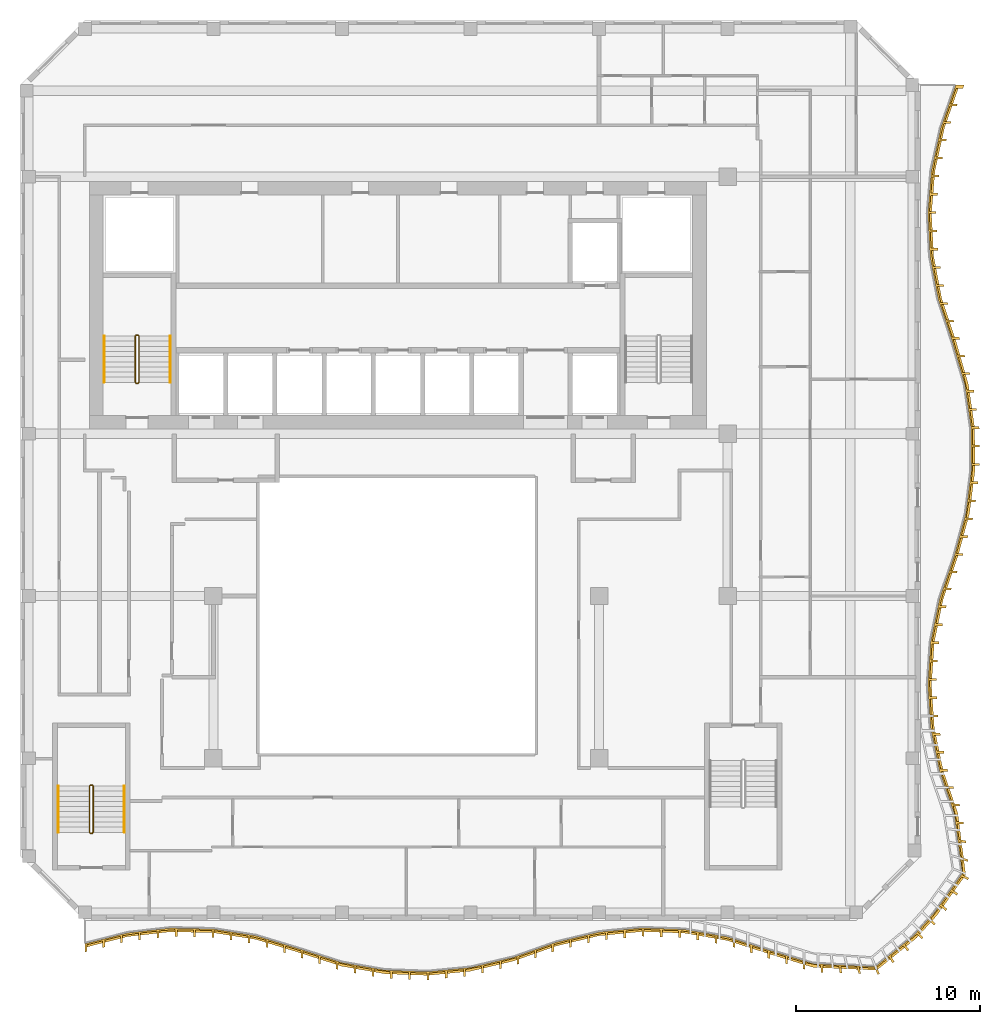
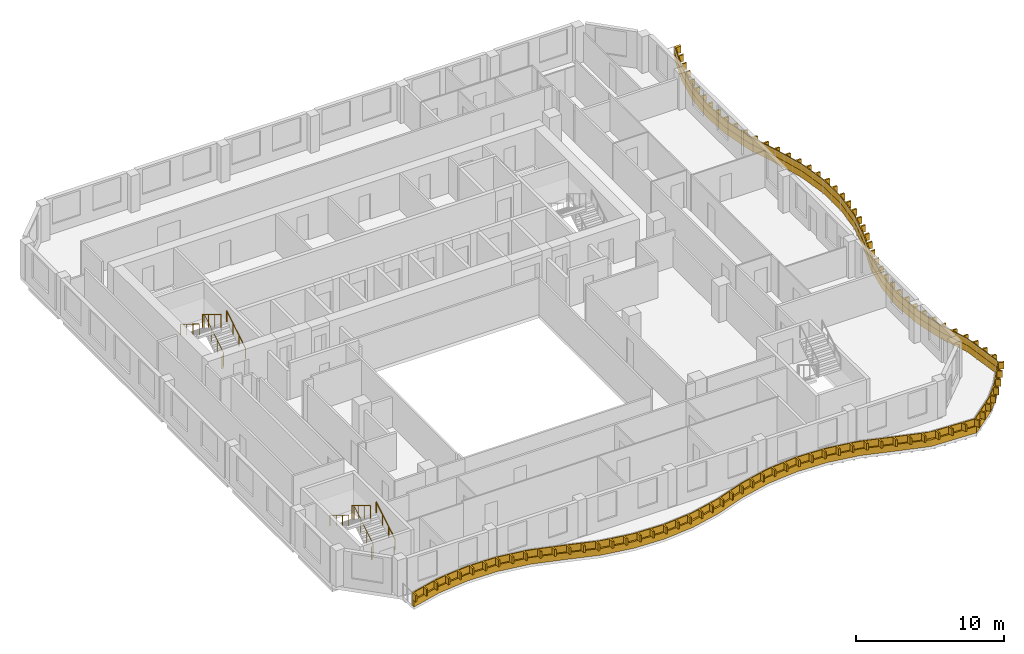
# One storey, part 11 of 13: 6 railings, 2 shading devices.
"""IFC4 building model written with IfcOpenShell, lengths in metres."""

from ifc_helpers import new_model, si_unit, direction, frame, origin, origin_2d, place, context, subcontext, project, spatial, polyline, circle, outline, extrude, source, transform, mapped, material, layer, layer_set, type_object, element, save


model = new_model("IFC4")

# Units and contexts
model_context = context("Model", 3, precision=1e-05, world=origin(), true_north=direction((0.0, 1.0)))
body_context = subcontext(model_context, "Body", "Model", "MODEL_VIEW")
ifc_project = project(units=[si_unit("LENGTHUNIT", "METRE"), si_unit("AREAUNIT", "SQUARE_METRE"), si_unit("VOLUMEUNIT", "CUBIC_METRE"), si_unit("PLANEANGLEUNIT", "RADIAN"), si_unit("MASSUNIT", "GRAM", prefix="KILO")], contexts=[model_context])

# Site, building, storey
site_placement = place(None, origin())
site = spatial("IfcSite", under=ifc_project, at=site_placement, CompositionType="ELEMENT")
building_placement = place(site_placement, origin())
building = spatial("IfcBuilding", under=site, at=building_placement, Name="Kilnfold Tower and Market Hall", CompositionType="ELEMENT")
storey_placement = place(building_placement, frame((0.0, 0.0, 259.39990234375)))
storey = spatial("IfcBuildingStorey", under=building, at=storey_placement, Name="L63", CompositionType="ELEMENT", Elevation=259.39990234375)

# Railings
ifc_material_1 = material(Name="Stainless steel 316", Category="steel")
railing_type_1 = type_object("IfcRailingType", Name="CORE STAIR GUARD 1100", PredefinedType="GUARDRAIL", material=ifc_material_1)
railing_1_placement = place(storey_placement, frame((-13.199951171875, 10.75, 0.0)))
element("IfcRailing", 1, at=railing_1_placement, inside=storey, type_object=railing_type_1, Name="L63 ST1 stair guard 1", PredefinedType="GUARDRAIL", context=body_context, shape_type="SweptSolid", body=[
    extrude(circle(Radius=0.02392578125, at=origin_2d()), frame((0.0, 0.0, 1.076171875), z_axis=(1.0, 0.0, 0.0), x_axis=(0.0, 1.0, 0.0)), (0.0, 0.0, 1.0), 0.099853515625),
    extrude(circle(Radius=0.02392578125, at=origin_2d()), frame((0.099853515625, 0.0, 1.076171875), z_axis=(0.271562723297, 0.271562723297, 0.923313259209), x_axis=(-0.707106781187, 0.707106781187, 0.0)), (0.0, 0.0, 1.0), 0.184326171875),
    extrude(circle(Radius=0.02392578125, at=origin_2d()), frame((0.14990234375, 0.050048828125, 1.24609375), z_axis=(0.0, 0.85478489116, 0.518982456201), x_axis=(-1.0, 0.0, 0.0)), (0.0, 0.0, 1.0), 2.9482421875),
    extrude(circle(Radius=0.02392578125, at=origin_2d()), frame((0.14990234375, 2.570068359375, 2.7763671875), z_axis=(-0.707106781187, 0.707106781187, 0.0), x_axis=(-0.707106781187, -0.707106781187, 0.0)), (0.0, 0.0, 1.0), 0.07080078125),
    extrude(circle(Radius=0.02392578125, at=origin_2d()), frame((0.099853515625, 2.6201171875, 2.7763671875), z_axis=(-1.0, 0.0, 0.0), x_axis=(0.0, -1.0, 0.0)), (0.0, 0.0, 1.0), 0.099853515625),
    extrude(circle(Radius=0.02392578125, at=origin_2d()), frame((0.0, 2.6201171875, 2.7763671875), z_axis=(-0.271895245746, -0.271895245746, 0.923117517265), x_axis=(0.707106781187, -0.707106781187, 0.0)), (0.0, 0.0, 1.0), 0.18408203125),
    extrude(circle(Radius=0.02392578125, at=origin_2d()), frame((-0.050048828125, 2.570068359375, 2.9462890625), z_axis=(0.0, -0.85478489116, 0.518982456201), x_axis=(1.0, 0.0, 0.0)), (0.0, 0.0, 1.0), 2.9482421875),
    extrude(circle(Radius=0.02099609375, at=origin_2d()), origin(), (0.0, 0.0, 1.0), 1.052001953125),
    extrude(circle(Radius=0.02099609375, at=origin_2d()), frame((0.099853515625, 0.0, 0.0)), (0.0, 0.0, 1.0), 1.052001953125),
    extrude(circle(Radius=0.02099609375, at=origin_2d()), frame((0.14990234375, 0.050048828125, 0.170166015625)), (0.0, 0.0, 1.0), 1.052001953125),
    extrude(circle(Radius=0.02099609375, at=origin_2d()), frame((0.14990234375, 0.89013671875, 0.68017578125)), (0.0, 0.0, 1.0), 1.052001953125),
    extrude(circle(Radius=0.02099609375, at=origin_2d()), frame((0.14990234375, 1.72998046875, 1.190185546875)), (0.0, 0.0, 1.0), 1.052001953125),
    extrude(circle(Radius=0.02099609375, at=origin_2d()), frame((0.14990234375, 2.570068359375, 1.7001953125)), (0.0, 0.0, 1.0), 1.052001953125),
    extrude(circle(Radius=0.02099609375, at=origin_2d()), frame((0.099853515625, 2.6201171875, 1.7001953125)), (0.0, 0.0, 1.0), 1.052001953125),
    extrude(circle(Radius=0.02099609375, at=origin_2d()), frame((0.0, 2.6201171875, 1.7001953125)), (0.0, 0.0, 1.0), 1.052001953125),
    extrude(circle(Radius=0.02099609375, at=origin_2d()), frame((-0.050048828125, 2.570068359375, 1.8701171875)), (0.0, 0.0, 1.0), 1.052001953125),
    extrude(circle(Radius=0.02099609375, at=origin_2d()), frame((-0.050048828125, 1.72998046875, 2.380126953125)), (0.0, 0.0, 1.0), 1.052001953125),
    extrude(circle(Radius=0.02099609375, at=origin_2d()), frame((-0.050048828125, 0.89013671875, 2.89013671875)), (0.0, 0.0, 1.0), 1.052001953125),
    extrude(circle(Radius=0.02099609375, at=origin_2d()), frame((-0.050048828125, 0.050048828125, 3.400146484375)), (0.0, 0.0, 1.0), 1.052001953125),
])
railing_2_placement = place(storey_placement, frame((-15.699951171875, -13.75, 0.0)))
element("IfcRailing", 2, at=railing_2_placement, inside=storey, type_object=railing_type_1, Name="L63 ST3 stair guard 1", PredefinedType="GUARDRAIL", context=body_context, shape_type="SweptSolid", body=[
    extrude(circle(Radius=0.02392578125, at=origin_2d()), frame((0.0, 0.0, 1.076171875), z_axis=(1.0, 0.0, 0.0), x_axis=(0.0, 1.0, 0.0)), (0.0, 0.0, 1.0), 0.099853515625),
    extrude(circle(Radius=0.02392578125, at=origin_2d()), frame((0.099853515625, 0.0, 1.076171875), z_axis=(0.271562723297, 0.271562723297, 0.923313259209), x_axis=(-0.707106781187, 0.707106781187, 0.0)), (0.0, 0.0, 1.0), 0.184326171875),
    extrude(circle(Radius=0.02392578125, at=origin_2d()), frame((0.14990234375, 0.050048828125, 1.24609375), z_axis=(0.0, 0.85478489116, 0.518982456201), x_axis=(-1.0, 0.0, 0.0)), (0.0, 0.0, 1.0), 2.9482421875),
    extrude(circle(Radius=0.02392578125, at=origin_2d()), frame((0.14990234375, 2.570068359375, 2.7763671875), z_axis=(-0.707106781187, 0.707106781187, 0.0), x_axis=(-0.707106781187, -0.707106781187, 0.0)), (0.0, 0.0, 1.0), 0.07080078125),
    extrude(circle(Radius=0.02392578125, at=origin_2d()), frame((0.099853515625, 2.6201171875, 2.7763671875), z_axis=(-1.0, 0.0, 0.0), x_axis=(0.0, -1.0, 0.0)), (0.0, 0.0, 1.0), 0.099853515625),
    extrude(circle(Radius=0.02392578125, at=origin_2d()), frame((0.0, 2.6201171875, 2.7763671875), z_axis=(-0.271895245746, -0.271895245746, 0.923117517265), x_axis=(0.707106781187, -0.707106781187, 0.0)), (0.0, 0.0, 1.0), 0.18408203125),
    extrude(circle(Radius=0.02392578125, at=origin_2d()), frame((-0.050048828125, 2.570068359375, 2.9462890625), z_axis=(0.0, -0.85478489116, 0.518982456201), x_axis=(1.0, 0.0, 0.0)), (0.0, 0.0, 1.0), 2.9482421875),
    extrude(circle(Radius=0.02099609375, at=origin_2d()), origin(), (0.0, 0.0, 1.0), 1.052001953125),
    extrude(circle(Radius=0.02099609375, at=origin_2d()), frame((0.099853515625, 0.0, 0.0)), (0.0, 0.0, 1.0), 1.052001953125),
    extrude(circle(Radius=0.02099609375, at=origin_2d()), frame((0.14990234375, 0.050048828125, 0.170166015625)), (0.0, 0.0, 1.0), 1.052001953125),
    extrude(circle(Radius=0.02099609375, at=origin_2d()), frame((0.14990234375, 0.89013671875, 0.68017578125)), (0.0, 0.0, 1.0), 1.052001953125),
    extrude(circle(Radius=0.02099609375, at=origin_2d()), frame((0.14990234375, 1.72998046875, 1.190185546875)), (0.0, 0.0, 1.0), 1.052001953125),
    extrude(circle(Radius=0.02099609375, at=origin_2d()), frame((0.14990234375, 2.570068359375, 1.7001953125)), (0.0, 0.0, 1.0), 1.052001953125),
    extrude(circle(Radius=0.02099609375, at=origin_2d()), frame((0.099853515625, 2.6201171875, 1.7001953125)), (0.0, 0.0, 1.0), 1.052001953125),
    extrude(circle(Radius=0.02099609375, at=origin_2d()), frame((0.0, 2.6201171875, 1.7001953125)), (0.0, 0.0, 1.0), 1.052001953125),
    extrude(circle(Radius=0.02099609375, at=origin_2d()), frame((-0.050048828125, 2.570068359375, 1.8701171875)), (0.0, 0.0, 1.0), 1.052001953125),
    extrude(circle(Radius=0.02099609375, at=origin_2d()), frame((-0.050048828125, 1.72998046875, 2.380126953125)), (0.0, 0.0, 1.0), 1.052001953125),
    extrude(circle(Radius=0.02099609375, at=origin_2d()), frame((-0.050048828125, 0.89013671875, 2.89013671875)), (0.0, 0.0, 1.0), 1.052001953125),
    extrude(circle(Radius=0.02099609375, at=origin_2d()), frame((-0.050048828125, 0.050048828125, 3.400146484375)), (0.0, 0.0, 1.0), 1.052001953125),
])
ifc_material_2 = material(Name="Stainless steel 316", Category="steel")
railing_type_2 = type_object("IfcRailingType", Name="CORE STAIR HANDRAIL 900", PredefinedType="HANDRAIL", material=ifc_material_2)
railing_3_placement = place(storey_placement, frame((-11.35009765625, 10.800048828125, 0.170166015625)))
element("IfcRailing", 3, at=railing_3_placement, inside=storey, type_object=railing_type_2, Name="L63 ST1 stair handrail 1", PredefinedType="HANDRAIL", context=body_context, shape_type="SweptSolid", body=[
    extrude(circle(Radius=0.02392578125, at=origin_2d()), frame((0.0, 0.0, 0.8759765625), z_axis=(0.0, 0.85478489116, 0.518982456201), x_axis=(-1.0, 0.0, 0.0)), (0.0, 0.0, 1.0), 2.9482421875),
    extrude(circle(Radius=0.02099609375, at=origin_2d()), origin(), (0.0, 0.0, 1.0), 0.851806640625),
    extrude(circle(Radius=0.02099609375, at=origin_2d()), frame((0.0, 0.840087890625, 0.510009765625)), (0.0, 0.0, 1.0), 0.851806640625),
    extrude(circle(Radius=0.02099609375, at=origin_2d()), frame((0.0, 1.679931640625, 1.02001953125)), (0.0, 0.0, 1.0), 0.851806640625),
    extrude(circle(Radius=0.02099609375, at=origin_2d()), frame((0.0, 2.52001953125, 1.530029296875)), (0.0, 0.0, 1.0), 0.851806640625),
])
railing_4_placement = place(storey_placement, frame((-14.949951171875, 13.320068359375, 1.8701171875)))
element("IfcRailing", 4, at=railing_4_placement, inside=storey, type_object=railing_type_2, Name="L63 ST1 stair handrail 2", PredefinedType="HANDRAIL", context=body_context, shape_type="SweptSolid", body=[
    extrude(circle(Radius=0.02392578125, at=origin_2d()), frame((0.0, 0.0, 0.8759765625), z_axis=(0.0, -0.85478489116, 0.518982456201), x_axis=(1.0, 0.0, 0.0)), (0.0, 0.0, 1.0), 2.9482421875),
    extrude(circle(Radius=0.02099609375, at=origin_2d()), origin(), (0.0, 0.0, 1.0), 0.851806640625),
    extrude(circle(Radius=0.02099609375, at=origin_2d()), frame((0.0, -0.840087890625, 0.510009765625)), (0.0, 0.0, 1.0), 0.851806640625),
    extrude(circle(Radius=0.02099609375, at=origin_2d()), frame((0.0, -1.679931640625, 1.02001953125)), (0.0, 0.0, 1.0), 0.851806640625),
    extrude(circle(Radius=0.02099609375, at=origin_2d()), frame((0.0, -2.52001953125, 1.530029296875)), (0.0, 0.0, 1.0), 0.851806640625),
])
railing_5_placement = place(storey_placement, frame((-13.85009765625, -13.699951171875, 0.170166015625)))
element("IfcRailing", 5, at=railing_5_placement, inside=storey, type_object=railing_type_2, Name="L63 ST3 stair handrail 1", PredefinedType="HANDRAIL", context=body_context, shape_type="SweptSolid", body=[
    extrude(circle(Radius=0.02392578125, at=origin_2d()), frame((0.0, 0.0, 0.8759765625), z_axis=(0.0, 0.85478489116, 0.518982456201), x_axis=(-1.0, 0.0, 0.0)), (0.0, 0.0, 1.0), 2.9482421875),
    extrude(circle(Radius=0.02099609375, at=origin_2d()), origin(), (0.0, 0.0, 1.0), 0.851806640625),
    extrude(circle(Radius=0.02099609375, at=origin_2d()), frame((0.0, 0.840087890625, 0.510009765625)), (0.0, 0.0, 1.0), 0.851806640625),
    extrude(circle(Radius=0.02099609375, at=origin_2d()), frame((0.0, 1.679931640625, 1.02001953125)), (0.0, 0.0, 1.0), 0.851806640625),
    extrude(circle(Radius=0.02099609375, at=origin_2d()), frame((0.0, 2.52001953125, 1.530029296875)), (0.0, 0.0, 1.0), 0.851806640625),
])
railing_6_placement = place(storey_placement, frame((-17.449951171875, -11.179931640625, 1.8701171875)))
element("IfcRailing", 6, at=railing_6_placement, inside=storey, type_object=railing_type_2, Name="L63 ST3 stair handrail 2", PredefinedType="HANDRAIL", context=body_context, shape_type="SweptSolid", body=[
    extrude(circle(Radius=0.02392578125, at=origin_2d()), frame((0.0, 0.0, 0.8759765625), z_axis=(0.0, -0.85478489116, 0.518982456201), x_axis=(1.0, 0.0, 0.0)), (0.0, 0.0, 1.0), 2.9482421875),
    extrude(circle(Radius=0.02099609375, at=origin_2d()), origin(), (0.0, 0.0, 1.0), 0.851806640625),
    extrude(circle(Radius=0.02099609375, at=origin_2d()), frame((0.0, -0.840087890625, 0.510009765625)), (0.0, 0.0, 1.0), 0.851806640625),
    extrude(circle(Radius=0.02099609375, at=origin_2d()), frame((0.0, -1.679931640625, 1.02001953125)), (0.0, 0.0, 1.0), 0.851806640625),
    extrude(circle(Radius=0.02099609375, at=origin_2d()), frame((0.0, -2.52001953125, 1.530029296875)), (0.0, 0.0, 1.0), 0.851806640625),
])

# Shading devices
ifc_material_3 = material(Name="Precast concrete C50/60", Category="concrete")
ifc_layer_1 = layer(ifc_material_3, 0.550048828125)
ifc_layer_set_1 = layer_set([ifc_layer_1], Name="Precast concrete C50/60")
shading_device_type_1 = type_object("IfcShadingDeviceType", Name="BALCONY UPSTAND 550", PredefinedType="USERDEFINED", material=ifc_layer_set_1)
shared_shape_1 = source(origin(), body_context, "Body", "SweptSolid", [
    extrude(outline(polyline([(-16.0, -19.97314453125), (-13.666748046875, -19.38037109375), (-11.333251953125, -19.117431640625), (-9.0, -19.16943359375), (-6.666748046875, -19.539306640625), (-4.333251953125, -20.24853515625), (-2.0, -20.997802734375), (0.333251953125, -21.40478515625), (2.666748046875, -21.492431640625), (5.0, -21.265869140625), (7.333251953125, -20.7119140625), (9.666748046875, -19.89208984375), (12.0, -19.33642578125), (14.333251953125, -19.10791015625), (16.666748046875, -19.19384765625), (19.0, -19.59912109375), (21.333251953125, -20.346435546875), (23.666748046875, -21.0576171875), (27.12109375, -21.206298828125), (29.287841796875, -19.45458984375), (30.3935546875, -18.226806640625), (31.96533203125, -16.021240234375), (31.535400390625, -12.666748046875), (30.734375, -10.333251953125), (30.255859375, -8.0), (30.10009765625, -5.666748046875), (30.25830078125, -3.333251953125), (30.7392578125, -1.0), (31.54150390625, 1.333251953125), (32.171875, 3.666748046875), (32.469482421875, 6.0), (32.451416015625, 8.333251953125), (32.116455078125, 10.666748046875), (31.44580078125, 13.0), (30.666259765625, 15.333251953125), (30.2236328125, 17.666748046875), (30.10205078125, 20.0), (30.294189453125, 22.333251953125), (30.8115234375, 24.666748046875), (31.626953125, 27.0), (31.427001953125, 27.0), (30.611572265625, 24.666748046875), (30.09423828125, 22.333251953125), (29.902099609375, 20.0), (30.023681640625, 17.666748046875), (30.46630859375, 15.333251953125), (31.24560546875, 13.0), (31.91650390625, 10.666748046875), (32.251220703125, 8.333251953125), (32.269287109375, 6.0), (31.971923828125, 3.666748046875), (31.341552734375, 1.333251953125), (30.539306640625, -1.0), (30.05810546875, -3.333251953125), (29.89990234375, -5.666748046875), (30.055908203125, -8.0), (30.5341796875, -10.333251953125), (31.33544921875, -12.666748046875), (31.780517578125, -15.944580078125), (30.252197265625, -18.08544921875), (29.146484375, -19.31298828125), (27.04443359375, -21.021484375), (23.666748046875, -20.857666015625), (21.333251953125, -20.146484375), (19.0, -19.399169921875), (16.666748046875, -18.993896484375), (14.333251953125, -18.907958984375), (12.0, -19.136474609375), (9.666748046875, -19.692138671875), (7.333251953125, -20.511962890625), (5.0, -21.06591796875), (2.666748046875, -21.29248046875), (0.333251953125, -21.20458984375), (-2.0, -20.797607421875), (-4.333251953125, -20.048583984375), (-6.666748046875, -19.33935546875), (-9.0, -18.969482421875), (-11.333251953125, -18.91748046875), (-13.666748046875, -19.180419921875), (-16.0, -19.773193359375), (-16.0, -19.97314453125)])), origin(), (0.0, 0.0, 1.0), 0.550048828125),
])
shading_device_1_placement = place(storey_placement, origin())
element("IfcShadingDevice", 7, at=shading_device_1_placement, inside=storey, type_object=shading_device_type_1, Name="Balcony fascia L63", ObjectType="FASCIA", PredefinedType="USERDEFINED", context=body_context, shape_type="MappedRepresentation", body=[
    mapped(shared_shape_1, transform((0.0, 0.0, 0.0))),
])
ifc_material_4 = material(Name="Bronze anodised aluminium", Category="aluminium")
ifc_layer_2 = layer(ifc_material_4, 0.550048828125)
ifc_layer_set_2 = layer_set([ifc_layer_2], Name="Bronze anodised aluminium")
shading_device_type_2 = type_object("IfcShadingDeviceType", Name="BRONZE SLAT FASCIA 550", PredefinedType="USERDEFINED", material=ifc_layer_set_2)
shared_shape_2 = source(origin(), body_context, "Body", "SweptSolid", [
    extrude(outline(polyline([(-16.0, -20.22314453125), (-16.0, -19.773193359375), (-13.666748046875, -19.180419921875), (-11.333251953125, -18.91748046875), (-9.0, -18.969482421875), (-6.666748046875, -19.33935546875), (-4.333251953125, -20.048583984375), (-2.0, -20.797607421875), (0.333251953125, -21.20458984375), (2.666748046875, -21.29248046875), (5.0, -21.06591796875), (7.333251953125, -20.511962890625), (9.666748046875, -19.692138671875), (12.0, -19.136474609375), (14.333251953125, -18.907958984375), (16.666748046875, -18.993896484375), (19.0, -19.399169921875), (21.333251953125, -20.146484375), (23.666748046875, -20.857666015625), (27.04443359375, -21.021484375), (29.146484375, -19.31298828125), (30.252197265625, -18.08544921875), (31.780517578125, -15.944580078125), (31.33544921875, -12.666748046875), (30.5341796875, -10.333251953125), (30.055908203125, -8.0), (29.89990234375, -5.666748046875), (30.05810546875, -3.333251953125), (30.539306640625, -1.0), (31.341552734375, 1.333251953125), (31.971923828125, 3.666748046875), (32.269287109375, 6.0), (32.251220703125, 8.333251953125), (31.91650390625, 10.666748046875), (31.24560546875, 13.0), (30.46630859375, 15.333251953125), (30.023681640625, 17.666748046875), (29.902099609375, 20.0), (30.09423828125, 22.333251953125), (30.611572265625, 24.666748046875), (31.427001953125, 27.0), (31.876953125, 27.0), (31.80419921875, 26.79150390625), (31.43408203125, 26.79150390625), (31.143798828125, 25.960693359375), (31.513916015625, 25.960693359375), (31.47412109375, 25.84765625), (31.104248046875, 25.84765625), (30.81396484375, 25.016845703125), (31.183837890625, 25.016845703125), (31.144287109375, 24.903564453125), (30.7744140625, 24.903564453125), (30.555419921875, 24.052490234375), (30.92529296875, 24.052490234375), (30.8994140625, 23.935302734375), (30.529541015625, 23.935302734375), (30.339111328125, 23.076171875), (30.708984375, 23.076171875), (30.68310546875, 22.958984375), (30.31298828125, 22.958984375), (30.15478515625, 22.094970703125), (30.524658203125, 22.094970703125), (30.514892578125, 21.975341796875), (30.144775390625, 21.975341796875), (30.072509765625, 21.098388671875), (30.4423828125, 21.098388671875), (30.4326171875, 20.978759765625), (30.062744140625, 20.978759765625), (29.990478515625, 20.101806640625), (30.3603515625, 20.101806640625), (30.352783203125, 19.982177734375), (29.98291015625, 19.982177734375), (30.02880859375, 19.103515625), (30.398681640625, 19.103515625), (30.405029296875, 18.9833984375), (30.034912109375, 18.9833984375), (30.080810546875, 18.104736328125), (30.450927734375, 18.104736328125), (30.45703125, 17.98486328125), (30.087158203125, 17.98486328125), (30.208251953125, 17.114990234375), (30.578369140625, 17.114990234375), (30.6005859375, 16.997314453125), (30.230712890625, 16.997314453125), (30.394775390625, 16.1328125), (30.7646484375, 16.1328125), (30.787109375, 16.014892578125), (30.4169921875, 16.014892578125), (30.60546875, 15.156494140625), (30.975341796875, 15.156494140625), (31.013427734375, 15.042724609375), (30.643310546875, 15.042724609375), (30.922119140625, 14.2080078125), (31.292236328125, 14.2080078125), (31.330078125, 14.09423828125), (30.960205078125, 14.09423828125), (31.239013671875, 13.259521484375), (31.60888671875, 13.259521484375), (31.64697265625, 13.145751953125), (31.277099609375, 13.145751953125), (31.5263671875, 12.302001953125), (31.896484375, 12.302001953125), (31.929443359375, 12.1865234375), (31.5595703125, 12.1865234375), (31.802734375, 11.3408203125), (32.172607421875, 11.3408203125), (32.205810546875, 11.2255859375), (31.835693359375, 11.2255859375), (32.038818359375, 10.37109375), (32.408935546875, 10.37109375), (32.42578125, 10.25244140625), (32.055908203125, 10.25244140625), (32.180908203125, 9.38134765625), (32.55078125, 9.38134765625), (32.568115234375, 9.262451171875), (32.197998046875, 9.262451171875), (32.322998046875, 8.3916015625), (32.693115234375, 8.3916015625), (32.701416015625, 8.333251953125), (32.701904296875, 8.272216796875), (32.331787109375, 8.272216796875), (32.338623046875, 7.39208984375), (32.70849609375, 7.39208984375), (32.70947265625, 7.272216796875), (32.339599609375, 7.272216796875), (32.346435546875, 6.39208984375), (32.71630859375, 6.39208984375), (32.71728515625, 6.272216796875), (32.347412109375, 6.272216796875), (32.2724609375, 5.39697265625), (32.642578125, 5.39697265625), (32.627197265625, 5.278076171875), (32.25732421875, 5.278076171875), (32.14599609375, 4.405029296875), (32.51611328125, 4.405029296875), (32.5009765625, 4.285888671875), (32.130859375, 4.285888671875), (31.985107421875, 3.419921875), (32.355224609375, 3.419921875), (32.323974609375, 3.303955078125), (31.953857421875, 3.303955078125), (31.724365234375, 2.45458984375), (32.094482421875, 2.45458984375), (32.063232421875, 2.338623046875), (31.693115234375, 2.338623046875), (31.463623046875, 1.489013671875), (31.833740234375, 1.489013671875), (31.802490234375, 1.373291015625), (31.432373046875, 1.373291015625), (31.14892578125, 0.540283203125), (31.518798828125, 0.540283203125), (31.479736328125, 0.4267578125), (31.10986328125, 0.4267578125), (30.82373046875, -0.405517578125), (31.193603515625, -0.405517578125), (31.154541015625, -0.518798828125), (30.78466796875, -0.518798828125), (30.544189453125, -1.363525390625), (30.914306640625, -1.363525390625), (30.889892578125, -1.481201171875), (30.52001953125, -1.481201171875), (30.34228515625, -2.343017578125), (30.71240234375, -2.343017578125), (30.68798828125, -2.46044921875), (30.318115234375, -2.46044921875), (30.140380859375, -3.322509765625), (30.510498046875, -3.322509765625), (30.500732421875, -3.44189453125), (30.130859375, -3.44189453125), (30.0712890625, -4.31982421875), (30.44140625, -4.31982421875), (30.43310546875, -4.439697265625), (30.063232421875, -4.439697265625), (30.003662109375, -5.317626953125), (30.373779296875, -5.317626953125), (30.365478515625, -5.437255859375), (29.99560546875, -5.437255859375), (30.023193359375, -6.3154296875), (30.393310546875, -6.3154296875), (30.4013671875, -6.43505859375), (30.03125, -6.43505859375), (30.08984375, -7.313232421875), (30.4599609375, -7.313232421875), (30.468017578125, -7.432861328125), (30.097900390625, -7.432861328125), (30.198486328125, -8.305419921875), (30.568359375, -8.305419921875), (30.592529296875, -8.4228515625), (30.222412109375, -8.4228515625), (30.3994140625, -9.284912109375), (30.769287109375, -9.284912109375), (30.79345703125, -9.40234375), (30.42333984375, -9.40234375), (30.60009765625, -10.264404296875), (30.97021484375, -10.264404296875), (31.00048828125, -10.38037109375), (30.630615234375, -10.38037109375), (30.916259765625, -11.212646484375), (31.2861328125, -11.212646484375), (31.3251953125, -11.326171875), (30.955078125, -11.326171875), (31.240966796875, -12.158447265625), (31.611083984375, -12.158447265625), (31.64990234375, -12.27197265625), (31.280029296875, -12.27197265625), (31.474609375, -13.119384765625), (31.841796875, -13.138671875), (31.856201171875, -13.260986328125), (31.48974609375, -13.236572265625), (31.60302734375, -14.09716796875), (31.963134765625, -14.158935546875), (31.977783203125, -14.28125), (31.61865234375, -14.214599609375), (31.7333984375, -15.075439453125), (32.084716796875, -15.178955078125), (32.09912109375, -15.301513671875), (31.7490234375, -15.19287109375), (31.80810546875, -16.039794921875), (32.147705078125, -16.18505859375), (32.07568359375, -16.286376953125), (31.7392578125, -16.135498046875), (31.235595703125, -16.838623046875), (31.547607421875, -17.029296875), (31.4755859375, -17.130615234375), (31.167236328125, -16.9345703125), (30.66552734375, -17.638916015625), (30.947021484375, -17.873779296875), (30.875, -17.97509765625), (30.597412109375, -17.735107421875), (30.0595703125, -18.418701171875), (30.3212890625, -18.680419921875), (30.240966796875, -18.76953125), (29.979248046875, -18.5078125), (29.390380859375, -19.16162109375), (29.65185546875, -19.42333984375), (29.571533203125, -19.5126953125), (29.31005859375, -19.2509765625), (28.65185546875, -19.814453125), (28.8837890625, -20.09814453125), (28.786865234375, -20.17578125), (28.560302734375, -19.888427734375), (27.88818359375, -20.43310546875), (28.076904296875, -20.746337890625), (27.97998046875, -20.82421875), (27.796630859375, -20.507568359375), (27.12548828125, -21.05419921875), (27.270263671875, -21.394287109375), (27.216796875, -21.4375), (27.16162109375, -21.435302734375), (27.022216796875, -21.093017578125), (26.154052734375, -21.05126953125), (26.258056640625, -21.40234375), (26.134765625, -21.39794921875), (26.035888671875, -21.045654296875), (25.16845703125, -21.0048828125), (25.231201171875, -21.364990234375), (25.10791015625, -21.3603515625), (25.05029296875, -20.99951171875), (24.18310546875, -20.96044921875), (24.20458984375, -21.327392578125), (24.081298828125, -21.32275390625), (24.064697265625, -20.955078125), (23.211181640625, -20.798828125), (23.211181640625, -21.168701171875), (23.096435546875, -21.1337890625), (23.096435546875, -20.763916015625), (22.254638671875, -20.50732421875), (22.254638671875, -20.877197265625), (22.139892578125, -20.84228515625), (22.139892578125, -20.472412109375), (21.29833984375, -20.215087890625), (21.29833984375, -20.585205078125), (21.18408203125, -20.548583984375), (21.18408203125, -20.1787109375), (20.345947265625, -19.91015625), (20.345947265625, -20.2802734375), (20.231689453125, -20.24365234375), (20.231689453125, -19.87353515625), (19.3935546875, -19.60498046875), (19.3935546875, -19.97509765625), (19.279296875, -19.9384765625), (19.279296875, -19.568603515625), (18.421875, -19.378662109375), (18.421875, -19.748779296875), (18.3037109375, -19.728271484375), (18.3037109375, -19.358154296875), (17.436767578125, -19.20751953125), (17.436767578125, -19.57763671875), (17.318359375, -19.55712890625), (17.318359375, -19.18701171875), (16.4482421875, -19.06591796875), (16.4482421875, -19.435791015625), (16.328369140625, -19.431396484375), (16.328369140625, -19.061279296875), (15.448974609375, -19.029052734375), (15.448974609375, -19.399169921875), (15.3291015625, -19.394775390625), (15.3291015625, -19.024658203125), (14.44970703125, -18.9921875), (14.44970703125, -19.3623046875), (14.329833984375, -19.3583984375), (14.329833984375, -18.98828125), (13.4541015625, -19.07421875), (13.4541015625, -19.444091796875), (13.33447265625, -19.455810546875), (13.33447265625, -19.085693359375), (12.458740234375, -19.17138671875), (12.458740234375, -19.54150390625), (12.33935546875, -19.55322265625), (12.33935546875, -19.18310546875), (11.4755859375, -19.34130859375), (11.4755859375, -19.711181640625), (11.35888671875, -19.739013671875), (11.35888671875, -19.369140625), (10.502685546875, -19.572998046875), (10.502685546875, -19.943115234375), (10.385986328125, -19.970703125), (10.385986328125, -19.600830078125), (9.5341796875, -19.81884765625), (9.5341796875, -20.188720703125), (9.4208984375, -20.228515625), (9.4208984375, -19.8583984375), (8.5908203125, -20.150146484375), (8.5908203125, -20.520263671875), (8.477294921875, -20.56005859375), (8.477294921875, -20.18994140625), (7.647216796875, -20.481689453125), (7.647216796875, -20.8515625), (7.533935546875, -20.891357421875), (7.533935546875, -20.521484375), (6.68408203125, -20.74609375), (6.68408203125, -21.115966796875), (6.5673828125, -21.143798828125), (6.5673828125, -20.773681640625), (5.711181640625, -20.97705078125), (5.711181640625, -21.346923828125), (5.59423828125, -21.374755859375), (5.59423828125, -21.004638671875), (4.732177734375, -21.171875), (4.732177734375, -21.541748046875), (4.612548828125, -21.553466796875), (4.612548828125, -21.183349609375), (3.73681640625, -21.2685546875), (3.73681640625, -21.638427734375), (3.6171875, -21.650146484375), (3.6171875, -21.280029296875), (2.741455078125, -21.364990234375), (2.741455078125, -21.735107421875), (2.666748046875, -21.742431640625), (2.621826171875, -21.74072265625), (2.621826171875, -21.37060546875), (1.742431640625, -21.337646484375), (1.742431640625, -21.707763671875), (1.62255859375, -21.703125), (1.62255859375, -21.333251953125), (0.7431640625, -21.300048828125), (0.7431640625, -21.670166015625), (0.623291015625, -21.66552734375), (0.623291015625, -21.295654296875), (-0.247802734375, -21.183349609375), (-0.247802734375, -21.55322265625), (-0.365966796875, -21.53271484375), (-0.365966796875, -21.16259765625), (-1.23291015625, -21.011474609375), (-1.23291015625, -21.381591796875), (-1.35107421875, -21.36083984375), (-1.35107421875, -20.990966796875), (-2.210693359375, -20.81005859375), (-2.210693359375, -21.179931640625), (-2.324951171875, -21.143310546875), (-2.324951171875, -20.7734375), (-3.162841796875, -20.50439453125), (-3.162841796875, -20.87451171875), (-3.277099609375, -20.837646484375), (-3.277099609375, -20.4677734375), (-4.114990234375, -20.19873046875), (-4.114990234375, -20.568603515625), (-4.229248046875, -20.531982421875), (-4.229248046875, -20.162109375), (-5.07080078125, -19.904296875), (-5.07080078125, -20.2744140625), (-5.185546875, -20.239501953125), (-5.185546875, -19.869384765625), (-6.027587890625, -19.613525390625), (-6.027587890625, -19.983642578125), (-6.142333984375, -19.94873046875), (-6.142333984375, -19.57861328125), (-6.994384765625, -19.3671875), (-6.994384765625, -19.7373046875), (-7.113037109375, -19.718505859375), (-7.113037109375, -19.3486328125), (-7.982177734375, -19.210693359375), (-7.982177734375, -19.580810546875), (-8.1005859375, -19.56201171875), (-8.1005859375, -19.19189453125), (-8.9697265625, -19.05419921875), (-8.9697265625, -19.42431640625), (-9.08935546875, -19.41748046875), (-9.08935546875, -19.047607421875), (-9.96923828125, -19.02783203125), (-9.96923828125, -19.39794921875), (-10.089111328125, -19.395263671875), (-10.089111328125, -19.025146484375), (-10.968994140625, -19.005615234375), (-10.968994140625, -19.37548828125), (-11.089111328125, -19.372802734375), (-11.089111328125, -19.0029296875), (-11.96484375, -19.068603515625), (-11.96484375, -19.438720703125), (-12.083984375, -19.451904296875), (-12.083984375, -19.08203125), (-12.95849609375, -19.180419921875), (-12.95849609375, -19.550537109375), (-13.077880859375, -19.56396484375), (-13.077880859375, -19.194091796875), (-13.9453125, -19.3310546875), (-13.9453125, -19.701171875), (-14.0615234375, -19.730712890625), (-14.0615234375, -19.360595703125), (-14.91455078125, -19.577392578125), (-14.91455078125, -19.947265625), (-15.03076171875, -19.976806640625), (-15.03076171875, -19.60693359375), (-15.8837890625, -19.823486328125), (-15.8837890625, -20.193603515625), (-16.0, -20.22314453125)])), origin(), (0.0, 0.0, 1.0), 0.550048828125),
])
shading_device_2_placement = place(storey_placement, frame((0.0, 0.0, 0.550048828125)))
element("IfcShadingDevice", 8, at=shading_device_2_placement, inside=storey, type_object=shading_device_type_2, Name="Balcony slat fascia L63", ObjectType="SLAT", PredefinedType="USERDEFINED", context=body_context, shape_type="MappedRepresentation", body=[
    mapped(shared_shape_2, transform((0.0, 0.0, 0.0))),
])

save(model, "model.ifc")
